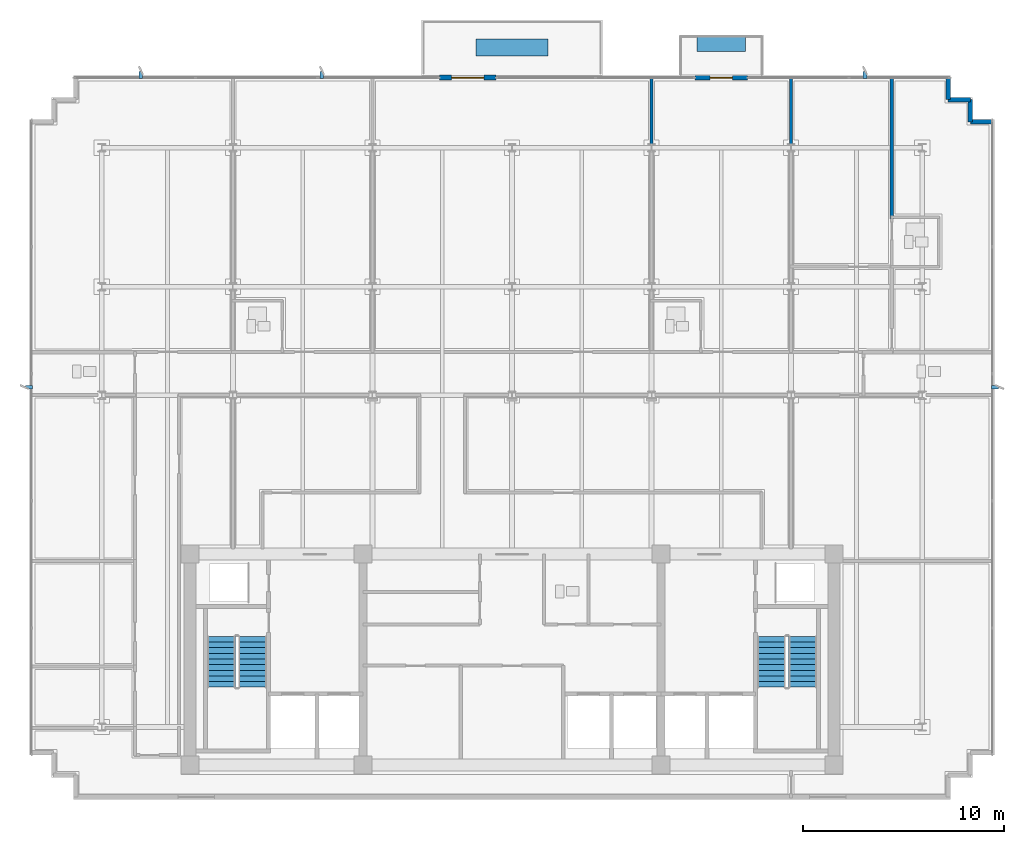
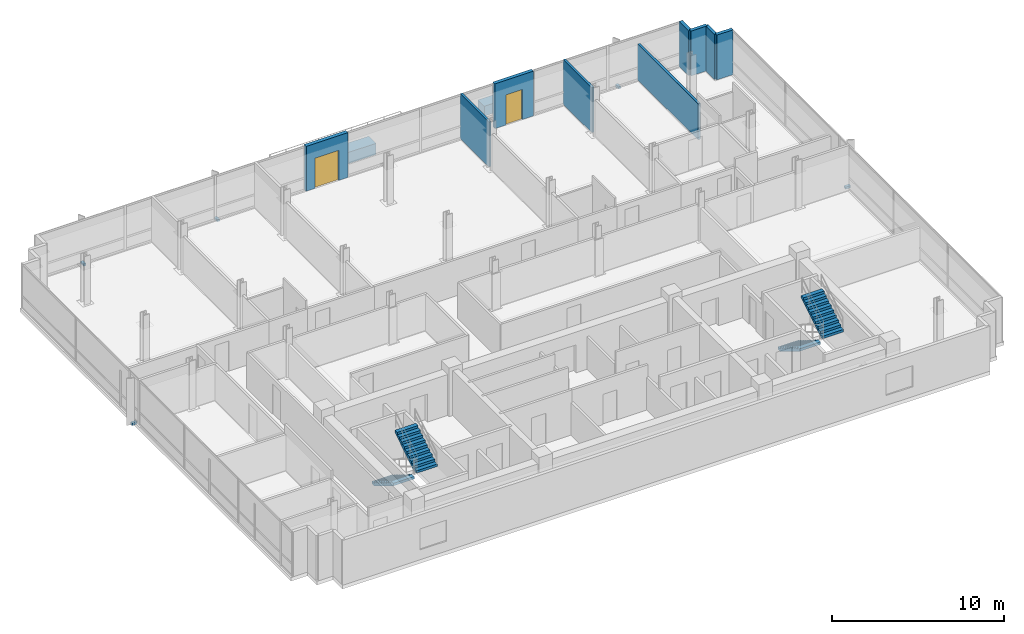
# One storey, part 14 of 19: 9 walls, 7 discrete accessories, 4 stair flights, 2 doors, 2 openings, 2 elements without a shape of their own.
"""IFC4 building model written with IfcOpenShell, lengths in metres."""

from ifc_helpers import new_model, si_unit, direction, frame, frame_2d, origin, origin_2d, place, context, subcontext, project, spatial, polyline, rectangle, outline, extrude, material, layer, layer_set, type_object, element, fill, aggregate, save


model = new_model("IFC4")

# Units and contexts
model_context = context("Model", 3, precision=1e-05, world=origin(), true_north=direction((0.0, 1.0)))
body_context = subcontext(model_context, "Body", "Model", "MODEL_VIEW")
ifc_project = project(units=[si_unit("LENGTHUNIT", "METRE"), si_unit("AREAUNIT", "SQUARE_METRE"), si_unit("VOLUMEUNIT", "CUBIC_METRE"), si_unit("PLANEANGLEUNIT", "RADIAN"), si_unit("MASSUNIT", "GRAM", prefix="KILO")], contexts=[model_context])

# Site, building, storey
site_placement = place(None, origin())
site = spatial("IfcSite", under=ifc_project, at=site_placement, CompositionType="ELEMENT")
building_placement = place(site_placement, origin())
building = spatial("IfcBuilding", under=site, at=building_placement, Name="Solmavex Isthmus Hotel", CompositionType="ELEMENT")
storey_placement = place(building_placement, frame((0.0, 0.0, 262.64990234375)))
storey = spatial("IfcBuildingStorey", under=building, at=storey_placement, Name="L71", CompositionType="ELEMENT", Elevation=262.64990234375)

# Wall, opening, door
ifc_material_1 = material(Name="Precast Concrete C40/50", Category="concrete")
ifc_layer_1 = layer(ifc_material_1, 0.25)
ifc_layer_set_1 = layer_set([ifc_layer_1], Name="Precast Concrete C40/50")
wall_type_1 = type_object("IfcWallType", Name="EW-TWR-250", PredefinedType="STANDARD", material=ifc_layer_set_1)
wall_1_placement = place(storey_placement, frame((-3.60009765625, 21.179931640625, 0.0), z_axis=(0.0, 0.0, 1.0), x_axis=(1.0, 0.0, 0.0)))
wall_1 = element("IfcWall", 1, at=wall_1_placement, inside=storey, type_object=wall_type_1, Name="Sky Garden Terrace Access Wall L71", PredefinedType="STANDARD", context=body_context, shape_type="SweptSolid", body=[
    extrude(rectangle(XDim=2.800048828125, YDim=0.25, at=frame_2d((1.39990234375, 0.0))), origin(), (0.0, 0.0, 1.0), 3.190185546875),
])
opening_1_placement = place(wall_1_placement, frame((0.60009765625, 0.0, 0.0)))
opening_1 = element("IfcOpeningElement", 2, at=opening_1_placement, cuts=wall_1, Name="Opening ED-03", PredefinedType="OPENING", context=body_context, shape_type="SweptSolid", body=[
    extrude(rectangle(XDim=1.60009765625, YDim=2.14990234375, at=frame_2d((0.800048828125, 1.074951171875))), frame((0.0, 0.135009765625, 0.0), z_axis=(0.0, -1.0, 0.0), x_axis=(1.0, 0.0, 0.0)), (0.0, 0.0, 1.0), 0.27001953125),
])
ifc_material_2 = material(Name="Aluminium alloy 6063-T6", Category="aluminium")
door_type_1 = type_object("IfcDoorType", Name="EDR-SG-1600", OperationType="NOTDEFINED", PredefinedType="DOOR", material=ifc_material_2)
door_1_placement = place(opening_1_placement, origin())
door_1 = element("IfcDoor", 3, at=door_1_placement, inside=storey, type_object=door_type_1, Name="Sky Garden Terrace Access Door L71", OperationType="DOUBLE_DOOR_SINGLE_SWING", OverallHeight=2.14990234375, OverallWidth=1.60009765625, PredefinedType="DOOR", context=body_context, shape_type="SweptSolid", body=[
    extrude(rectangle(XDim=1.60009765625, YDim=2.14990234375, at=frame_2d((0.800048828125, 1.074951171875))), frame((0.0, 0.02490234375, 0.0), z_axis=(0.0, -1.0, 0.0), x_axis=(1.0, 0.0, 0.0)), (0.0, 0.0, 1.0), 0.050048828125),
])
fill(opening_1, door_1)

wall_2_placement = place(storey_placement, frame((9.10400390625, 21.179931640625, 0.0), z_axis=(0.0, 0.0, 1.0), x_axis=(1.0, 0.0, 0.0)))
wall_2 = element("IfcWall", 4, at=wall_2_placement, inside=storey, type_object=wall_type_1, Name="Exterior Balcony Door Wall L71-3", PredefinedType="STANDARD", context=body_context, shape_type="SweptSolid", body=[
    extrude(rectangle(XDim=2.60009765625, YDim=0.239990234375, at=frame_2d((1.300048828125, 0.0))), origin(), (0.0, 0.0, 1.0), 3.190185546875),
])
opening_2_placement = place(wall_2_placement, frame((0.75, 0.0, 0.0)))
opening_2 = element("IfcOpeningElement", 5, at=opening_2_placement, cuts=wall_2, Name="Opening ED-02", PredefinedType="OPENING", context=body_context, shape_type="SweptSolid", body=[
    extrude(rectangle(XDim=1.10009765625, YDim=2.14990234375, at=frame_2d((0.550048828125, 1.074951171875))), frame((0.0, 0.1298828125, 0.0), z_axis=(0.0, -1.0, 0.0), x_axis=(1.0, 0.0, 0.0)), (0.0, 0.0, 1.0), 0.260009765625),
])
door_type_2 = type_object("IfcDoorType", Name="EDR-BALC-1100", OperationType="NOTDEFINED", PredefinedType="DOOR", material=ifc_material_2)
door_2_placement = place(opening_2_placement, origin())
door_2 = element("IfcDoor", 6, at=door_2_placement, inside=storey, type_object=door_type_2, Name="Balcony & Terrace Glazed Door L71-3", OperationType="SINGLE_SWING_LEFT", OverallHeight=2.14990234375, OverallWidth=1.10009765625, PredefinedType="DOOR", context=body_context, shape_type="SweptSolid", body=[
    extrude(rectangle(XDim=1.10009765625, YDim=2.14990234375, at=frame_2d((0.550048828125, 1.074951171875))), frame((0.0, 0.02490234375, 0.0), z_axis=(0.0, -1.0, 0.0), x_axis=(1.0, 0.0, 0.0)), (0.0, 0.0, 1.0), 0.050048828125),
])
fill(opening_2, door_2)

# Walls
wall_3_placement = place(storey_placement, frame((21.68994140625, 21.18994140625, 0.0), z_axis=(0.0, 0.0, 1.0), x_axis=(0.0, -1.0, 0.0)))
element("IfcWall", 7, at=wall_3_placement, inside=storey, type_object=wall_type_1, Name="Serrated Corner Facade Panel L71-11", PredefinedType="STANDARD", context=body_context, shape_type="SweptSolid", body=[
    extrude(rectangle(XDim=1.099853515625, YDim=0.219970703125, at=frame_2d((0.5498046875, 0.0))), origin(), (0.0, 0.0, 1.0), 3.190185546875),
])
for number, where, z_axis, x_axis, name in (
    (8, (21.68994140625, 20.090087890625, 0.0), (0.0, 0.0, 1.0), (1.0, 0.0, 0.0), "Serrated Corner Facade Panel L71-12"),
    (9, (22.7900390625, 20.090087890625, 0.0), (0.0, 0.0, 1.0), (0.0, -1.0, 0.0), "Serrated Corner Facade Panel L71-13"),
):
    element("IfcWall", number, at=place(storey_placement, frame(where, z_axis=z_axis, x_axis=x_axis)), inside=storey, type_object=wall_type_1, Name=name, PredefinedType="STANDARD", context=body_context, shape_type="SweptSolid", body=[
        extrude(rectangle(XDim=1.10009765625, YDim=0.219970703125, at=frame_2d((0.550048828125, 0.0))), origin(), (0.0, 0.0, 1.0), 3.190185546875),
    ])
wall_4_placement = place(storey_placement, frame((22.7900390625, 18.989990234375, 0.0), z_axis=(0.0, 0.0, 1.0), x_axis=(1.0, 0.0, 0.0)))
element("IfcWall", 10, at=wall_4_placement, inside=storey, type_object=wall_type_1, Name="Serrated Corner Facade Panel L71-14", PredefinedType="STANDARD", context=body_context, shape_type="SweptSolid", body=[
    extrude(rectangle(XDim=1.099853515625, YDim=0.219970703125, at=frame_2d((0.5498046875, 0.0))), origin(), (0.0, 0.0, 1.0), 3.190185546875),
])
ifc_material_3 = material(Name="Gypsum plasterboard lining", Category="gypsum")
ifc_layer_2 = layer(ifc_material_3, 0.159912109375)
ifc_layer_set_2 = layer_set([ifc_layer_2], Name="Gypsum plasterboard lining")
wall_type_2 = type_object("IfcWallType", Name="IW-COMP-160", PredefinedType="PARTITIONING", material=ifc_layer_set_2)
for number, where, z_axis, x_axis, name in (
    (11, (6.93603515625, 21.219970703125, 0.0), (0.0, 0.0, 1.0), (0.0, -1.0, 0.0), "Interior Partition Wall W-L71-P044"),
    (12, (13.8720703125, 21.219970703125, 0.0), (0.0, 0.0, 1.0), (0.0, -1.0, 0.0), "Interior Partition Wall W-L71-P049"),
):
    element("IfcWall", number, at=place(storey_placement, frame(where, z_axis=z_axis, x_axis=x_axis)), inside=storey, type_object=wall_type_2, Name=name, PredefinedType="PARTITIONING", context=body_context, shape_type="SweptSolid", body=[
        extrude(rectangle(XDim=3.344970703125, YDim=0.159912109375, at=frame_2d((1.67236328125, 0.0))), origin(), (0.0, 0.0, 1.0), 3.190185546875),
    ])
wall_5_placement = place(storey_placement, frame((18.8759765625, 21.219970703125, 0.0), z_axis=(0.0, 0.0, 1.0), x_axis=(0.0, -1.0, 0.0)))
element("IfcWall", 13, at=wall_5_placement, inside=storey, type_object=wall_type_2, Name="Interior Partition Wall W-L71-P053", PredefinedType="PARTITIONING", context=body_context, shape_type="SweptSolid", body=[
    extrude(rectangle(XDim=7.06396484375, YDim=0.159912109375, at=frame_2d((3.531982421875, 0.0))), origin(), (0.0, 0.0, 1.0), 2.5576171875),
])

# Stair, stair flights
ifc_material_4 = material(Name="Concrete C40/50", Category="concrete")
stair_type_1 = type_object("IfcStairType", Name="STR-ST-1", PredefinedType="HALF_TURN_STAIR", material=ifc_material_4)
stair_1_placement = place(storey_placement, origin())
stair_1 = element("IfcStair", 14, at=stair_1_placement, inside=storey, type_object=stair_type_1, Name="L71 Protected Exit Stair ST-1", PredefinedType="HALF_TURN_STAIR")
stair_flight_type_1 = type_object("IfcStairFlightType", Name="SFL-ST-1", PredefinedType="STRAIGHT", material=ifc_material_4)
stair_flight_1_placement = place(storey_placement, frame((-14.449951171875, -6.60009765625, 0.0), z_axis=(0.0, 0.0, 1.0), x_axis=(0.0, -1.0, 0.0)))
stair_flight_1 = element("IfcStairFlight", 15, at=stair_flight_1_placement, type_object=stair_flight_type_1, Name="ST-1 flight 1", NumberOfRisers=10, NumberOfTreads=9, PredefinedType="STRAIGHT", RiserHeight=0.1725, TreadLength=0.28, context=body_context, shape_type="SweptSolid", body=[
    extrude(outline(polyline([(0.0, 0.0), (0.0, 0.172607421875), (0.280029296875, 0.172607421875), (0.280029296875, 0.344970703125), (0.56005859375, 0.344970703125), (0.56005859375, 0.517578125), (0.840087890625, 0.517578125), (0.840087890625, 0.68994140625), (1.1201171875, 0.68994140625), (1.1201171875, 0.862548828125), (1.39990234375, 0.862548828125), (1.39990234375, 1.034912109375), (1.679931640625, 1.034912109375), (1.679931640625, 1.20751953125), (1.9599609375, 1.20751953125), (1.9599609375, 1.3798828125), (2.239990234375, 1.3798828125), (2.239990234375, 1.552490234375), (2.52001953125, 1.552490234375), (2.52001953125, 1.72509765625), (2.52001953125, 1.37646484375), (0.285888671875, 0.0), (0.0, 0.0)])), frame((0.0, 0.699951171875, 0.0), z_axis=(0.0, -1.0, 0.0), x_axis=(1.0, 0.0, 0.0)), (0.0, 0.0, 1.0), 1.39990234375),
])
stair_flight_2_placement = place(storey_placement, frame((-12.89990234375, -9.1201171875, 1.72509765625), z_axis=(0.0, 0.0, 1.0), x_axis=(0.0, 1.0, 0.0)))
stair_flight_2 = element("IfcStairFlight", 16, at=stair_flight_2_placement, type_object=stair_flight_type_1, Name="ST-1 flight 2", NumberOfRisers=10, NumberOfTreads=9, PredefinedType="STRAIGHT", RiserHeight=0.1725, TreadLength=0.28, context=body_context, shape_type="SweptSolid", body=[
    extrude(outline(polyline([(0.0, 0.0), (0.0, 0.172607421875), (0.280029296875, 0.172607421875), (0.280029296875, 0.344970703125), (0.56005859375, 0.344970703125), (0.56005859375, 0.517578125), (0.840087890625, 0.517578125), (0.840087890625, 0.68994140625), (1.1201171875, 0.68994140625), (1.1201171875, 0.862548828125), (1.39990234375, 0.862548828125), (1.39990234375, 1.034912109375), (1.679931640625, 1.034912109375), (1.679931640625, 1.20751953125), (1.9599609375, 1.20751953125), (1.9599609375, 1.3798828125), (2.239990234375, 1.3798828125), (2.239990234375, 1.552490234375), (2.52001953125, 1.552490234375), (2.52001953125, 1.72509765625), (2.52001953125, 1.37646484375), (0.285888671875, 0.0), (0.0, 0.0)])), frame((0.0, 0.699951171875, 0.0), z_axis=(0.0, -1.0, 0.0), x_axis=(1.0, 0.0, 0.0)), (0.0, 0.0, 1.0), 1.39990234375),
])
aggregate(stair_1, [stair_flight_1, stair_flight_2])

stair_type_2 = type_object("IfcStairType", Name="STR-ST-2", PredefinedType="HALF_TURN_STAIR", material=ifc_material_4)
stair_2_placement = place(storey_placement, origin())
stair_2 = element("IfcStair", 17, at=stair_2_placement, inside=storey, type_object=stair_type_2, Name="L71 Protected Exit Stair ST-2", PredefinedType="HALF_TURN_STAIR")
stair_flight_type_2 = type_object("IfcStairFlightType", Name="SFL-ST-2", PredefinedType="STRAIGHT", material=ifc_material_4)
stair_flight_3_placement = place(storey_placement, frame((12.89990234375, -6.60009765625, 0.0), z_axis=(0.0, 0.0, 1.0), x_axis=(0.0, -1.0, 0.0)))
stair_flight_3 = element("IfcStairFlight", 18, at=stair_flight_3_placement, type_object=stair_flight_type_2, Name="ST-2 flight 1", NumberOfRisers=10, NumberOfTreads=9, PredefinedType="STRAIGHT", RiserHeight=0.1725, TreadLength=0.28, context=body_context, shape_type="SweptSolid", body=[
    extrude(outline(polyline([(0.0, 0.0), (0.0, 0.172607421875), (0.280029296875, 0.172607421875), (0.280029296875, 0.344970703125), (0.56005859375, 0.344970703125), (0.56005859375, 0.517578125), (0.840087890625, 0.517578125), (0.840087890625, 0.68994140625), (1.1201171875, 0.68994140625), (1.1201171875, 0.862548828125), (1.39990234375, 0.862548828125), (1.39990234375, 1.034912109375), (1.679931640625, 1.034912109375), (1.679931640625, 1.20751953125), (1.9599609375, 1.20751953125), (1.9599609375, 1.3798828125), (2.239990234375, 1.3798828125), (2.239990234375, 1.552490234375), (2.52001953125, 1.552490234375), (2.52001953125, 1.72509765625), (2.52001953125, 1.37646484375), (0.285888671875, 0.0), (0.0, 0.0)])), frame((0.0, 0.699951171875, 0.0), z_axis=(0.0, -1.0, 0.0), x_axis=(1.0, 0.0, 0.0)), (0.0, 0.0, 1.0), 1.39990234375),
])
stair_flight_4_placement = place(storey_placement, frame((14.449951171875, -9.1201171875, 1.72509765625), z_axis=(0.0, 0.0, 1.0), x_axis=(0.0, 1.0, 0.0)))
stair_flight_4 = element("IfcStairFlight", 19, at=stair_flight_4_placement, type_object=stair_flight_type_2, Name="ST-2 flight 2", NumberOfRisers=10, NumberOfTreads=9, PredefinedType="STRAIGHT", RiserHeight=0.1725, TreadLength=0.28, context=body_context, shape_type="SweptSolid", body=[
    extrude(outline(polyline([(0.0, 0.0), (0.0, 0.172607421875), (0.280029296875, 0.172607421875), (0.280029296875, 0.344970703125), (0.56005859375, 0.344970703125), (0.56005859375, 0.517578125), (0.840087890625, 0.517578125), (0.840087890625, 0.68994140625), (1.1201171875, 0.68994140625), (1.1201171875, 0.862548828125), (1.39990234375, 0.862548828125), (1.39990234375, 1.034912109375), (1.679931640625, 1.034912109375), (1.679931640625, 1.20751953125), (1.9599609375, 1.20751953125), (1.9599609375, 1.3798828125), (2.239990234375, 1.3798828125), (2.239990234375, 1.552490234375), (2.52001953125, 1.552490234375), (2.52001953125, 1.72509765625), (2.52001953125, 1.37646484375), (0.285888671875, 0.0), (0.0, 0.0)])), frame((0.0, 0.699951171875, 0.0), z_axis=(0.0, -1.0, 0.0), x_axis=(1.0, 0.0, 0.0)), (0.0, 0.0, 1.0), 1.39990234375),
])
aggregate(stair_2, [stair_flight_3, stair_flight_4])

# Discrete accessories
ifc_material_5 = material(Name="Steel ASTM A572 Grade 50", Category="steel")
discrete_accessory_type_1 = type_object("IfcDiscreteAccessoryType", Name="ACC-BRK-FIN", PredefinedType="BRACKET", material=ifc_material_5)
for number, where, z_axis, x_axis, name in (
    (20, (-18.449951171875, 21.320068359375, -0.169921875), (0.0, 0.0, 1.0), (0.0, 1.0, 0.0), "Facade Fin Support Bracket L71-N1"),
    (21, (-9.449951171875, 21.320068359375, -0.169921875), (0.0, 0.0, 1.0), (0.0, 1.0, 0.0), "Facade Fin Support Bracket L71-N2"),
    (22, (17.550048828125, 21.320068359375, -0.169921875), (0.0, 0.0, 1.0), (0.0, 1.0, 0.0), "Facade Fin Support Bracket L71-N3"),
    (23, (-24.02001953125, 5.800048828125, -0.169921875), (0.0, 0.0, 1.0), (-1.0, 0.0, 0.0), "Facade Fin Support Bracket L71-W1"),
    (24, (24.02001953125, 5.800048828125, -0.169921875), (0.0, 0.0, 1.0), (1.0, 0.0, 0.0), "Facade Fin Support Bracket L71-E1"),
):
    element("IfcDiscreteAccessory", number, at=place(storey_placement, frame(where, z_axis=z_axis, x_axis=x_axis)), inside=storey, type_object=discrete_accessory_type_1, Name=name, PredefinedType="BRACKET", context=body_context, shape_type="SweptSolid", body=[
        extrude(rectangle(XDim=0.340087890625, YDim=0.179931640625, at=origin_2d()), origin(), (0.0, 0.0, 1.0), 0.159912109375),
    ])
discrete_accessory_type_2 = type_object("IfcDiscreteAccessoryType", Name="ACC-PLN-BALC", PredefinedType="USERDEFINED", material=ifc_material_1)
discrete_accessory_1_placement = place(storey_placement, frame((10.404052734375, 22.85009765625, 0.0), z_axis=(0.0, 0.0, 1.0), x_axis=(1.0, 0.0, 0.0)))
element("IfcDiscreteAccessory", 25, at=discrete_accessory_1_placement, inside=storey, type_object=discrete_accessory_type_2, Name="Tree-Balcony Architectural Planter L71-B2", ObjectType="PLANTER", PredefinedType="USERDEFINED", context=body_context, shape_type="SweptSolid", body=[
    extrude(rectangle(XDim=2.39990234375, YDim=0.75, at=origin_2d()), origin(), (0.0, 0.0, 1.0), 0.699951171875),
])
discrete_accessory_type_3 = type_object("IfcDiscreteAccessoryType", Name="ACC-PLN-SG", PredefinedType="USERDEFINED", material=ifc_material_1)
discrete_accessory_2_placement = place(storey_placement, frame((0.0, 22.675537109375, 0.0), z_axis=(0.0, 0.0, 1.0), x_axis=(1.0, 0.0, 0.0)))
element("IfcDiscreteAccessory", 26, at=discrete_accessory_2_placement, inside=storey, type_object=discrete_accessory_type_3, Name="Sky-Garden & Terrace Botanical Tree Planter L71-T1", ObjectType="PLANTER", PredefinedType="USERDEFINED", context=body_context, shape_type="SweptSolid", body=[
    extrude(rectangle(XDim=3.60009765625, YDim=0.85009765625, at=origin_2d()), origin(), (0.0, 0.0, 1.0), 0.800048828125),
])

save(model, "model.ifc")
